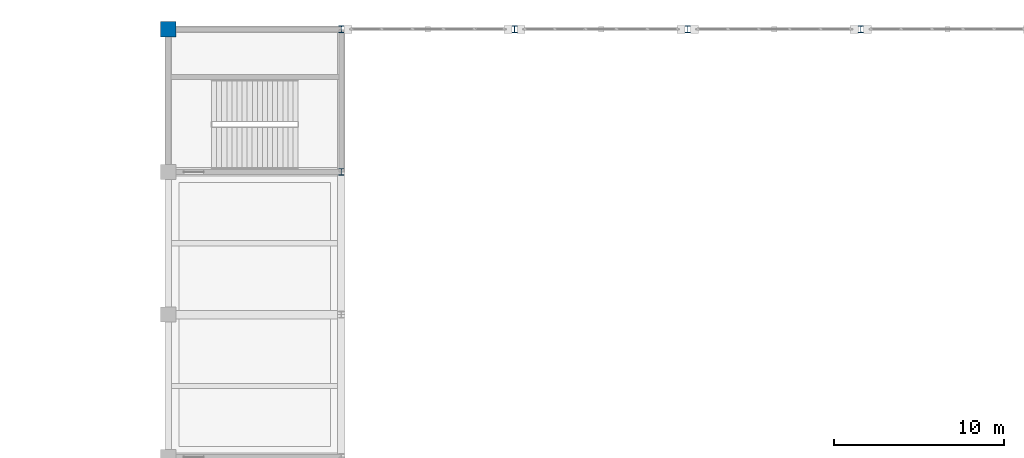
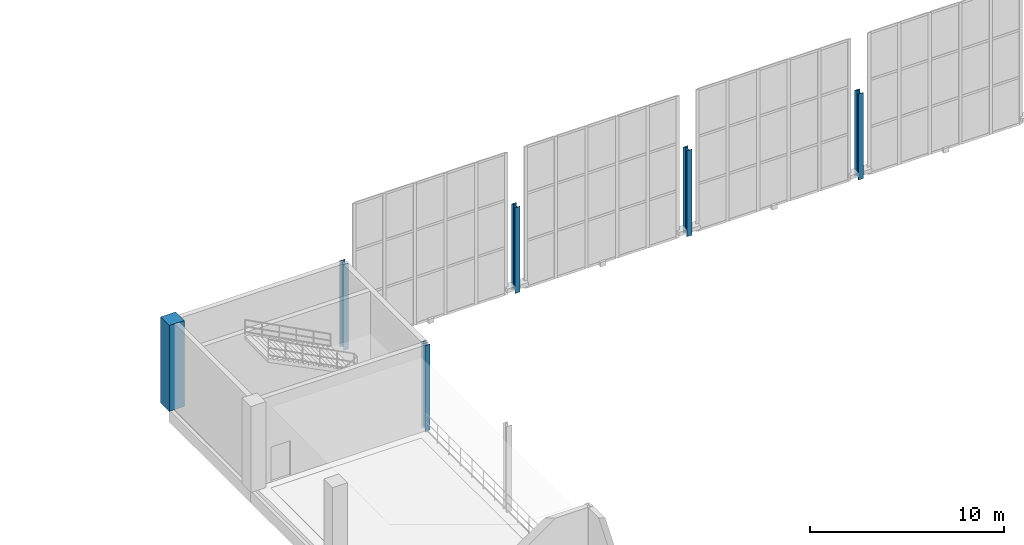
# One storey, part 19 of 175: 6 columns.
"""IFC4 building model written with IfcOpenShell, lengths in metres."""

from ifc_helpers import new_model, si_unit, direction, frame, origin, origin_2d, place, context, subcontext, project, spatial, rectangle, i_section, extrude, material, material_profile, profile_set, type_object, element, save


model = new_model("IFC4")

# Units and contexts
model_context = context("Model", 3, precision=1e-05, world=origin(), true_north=direction((0.0, 1.0)))
body_context = subcontext(model_context, "Body", "Model", "MODEL_VIEW")
ifc_project = project(units=[si_unit("LENGTHUNIT", "METRE"), si_unit("AREAUNIT", "SQUARE_METRE"), si_unit("VOLUMEUNIT", "CUBIC_METRE"), si_unit("PLANEANGLEUNIT", "RADIAN"), si_unit("MASSUNIT", "GRAM", prefix="KILO")], contexts=[model_context])

# Site, building, storey
site_placement = place(None, origin())
site = spatial("IfcSite", under=ifc_project, at=site_placement, CompositionType="ELEMENT")
building_placement = place(site_placement, origin())
building = spatial("IfcBuilding", under=site, at=building_placement, Name="Brelvane Convention Centre", CompositionType="ELEMENT")
storey_placement = place(building_placement, frame((0.0, 0.0, 5.39990234375)))
storey = spatial("IfcBuildingStorey", under=building, at=storey_placement, Name="L01", CompositionType="ELEMENT", Elevation=5.39990234375)

# Columns
ifc_material_1 = material(Name="Concrete M50", Category="concrete")
ifc_material_profile_1 = material_profile(ifc_material_1, rectangle(XDim=0.89990234375, YDim=0.89990234375, at=origin_2d()), Name="RC 900x900")
ifc_profile_set_1 = profile_set([ifc_material_profile_1], Name="Concrete M50")
column_type_1 = type_object("IfcColumnType", Name="RC Column C-RC2 (RC 900x900)", PredefinedType="COLUMN", material=ifc_profile_set_1)
column_placement = place(storey_placement, frame((163.199951171875, 144.0, 0.0), z_axis=(0.0, 0.0, 1.0), x_axis=(1.0, 0.0, 0.0)))
element("IfcColumn", 1, at=column_placement, inside=storey, type_object=column_type_1, Name="Column 17-Q (L01)", PredefinedType="COLUMN", context=body_context, shape_type="SweptSolid", body=[
    extrude(rectangle(XDim=0.89990234375, YDim=0.89990234375, at=origin_2d()), origin(), (0.0, 0.0, 1.0), 5.400146484375),
])
ifc_material_2 = material(Name="Steel E350 (350 MPa)", Category="steel")
ifc_material_profile_2 = material_profile(ifc_material_2, i_section(OverallWidth=0.300048828125, OverallDepth=0.39990234375, WebThickness=0.013427734375, FlangeThickness=0.02392578125, FilletRadius=0.027099609375, at=origin_2d()), Name="WPB 400x300")
ifc_profile_set_2 = profile_set([ifc_material_profile_2], Name="Steel E350 (350 MPa)")
column_type_2 = type_object("IfcColumnType", Name="Steel Column C-ST7 (WPB 400x300)", PredefinedType="COLUMN", material=ifc_profile_set_2)
for number, where, z_axis, x_axis, name in (
    (2, (173.39990234375, 135.60009765625, 0.0), (0.0, 0.0, 1.0), (1.0, 0.0, 0.0), "Column 18-P (L01)"),
    (3, (173.39990234375, 144.0, 0.0), (0.0, 0.0, 1.0), (1.0, 0.0, 0.0), "Column 18-Q (L01)"),
    (4, (183.60009765625, 144.0, 0.0), (0.0, 0.0, 1.0), (1.0, 0.0, 0.0), "Column 19-Q (L01)"),
    (5, (193.800048828125, 144.0, 0.0), (0.0, 0.0, 1.0), (1.0, 0.0, 0.0), "Column 20-Q (L01)"),
    (6, (204.0, 144.0, 0.0), (0.0, 0.0, 1.0), (1.0, 0.0, 0.0), "Column 21-Q (L01)"),
):
    element("IfcColumn", number, at=place(storey_placement, frame(where, z_axis=z_axis, x_axis=x_axis)), inside=storey, type_object=column_type_2, Name=name, PredefinedType="COLUMN", context=body_context, shape_type="SweptSolid", body=[
        extrude(i_section(OverallWidth=0.300048828125, OverallDepth=0.39990234375, WebThickness=0.013427734375, FlangeThickness=0.02392578125, FilletRadius=0.027099609375, at=origin_2d()), origin(), (0.0, 0.0, 1.0), 5.400146484375),
    ])

save(model, "model.ifc")
